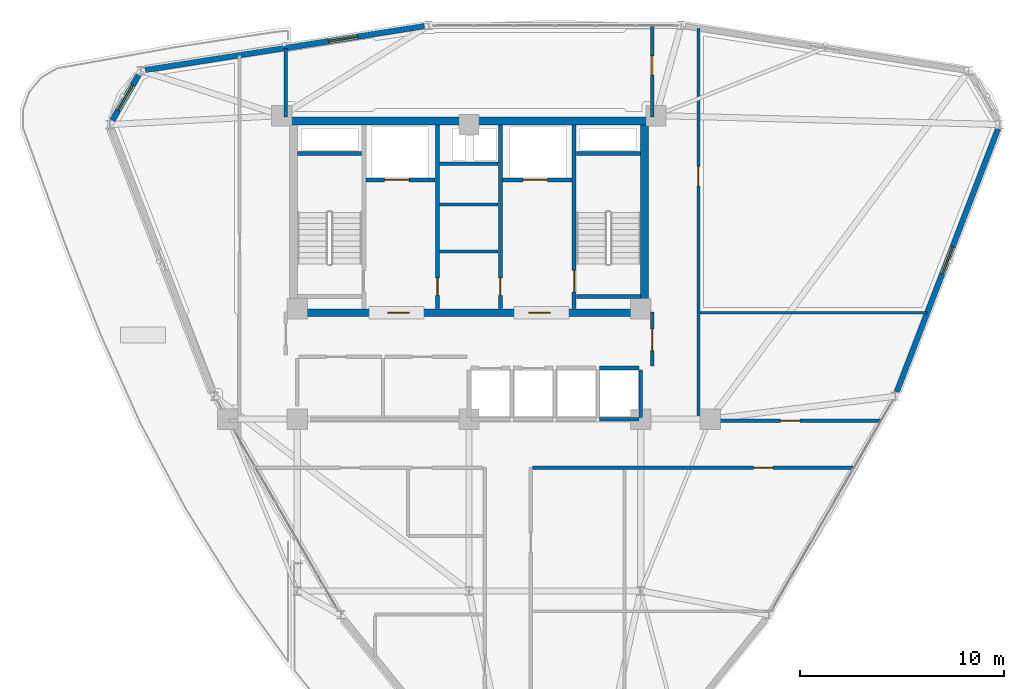
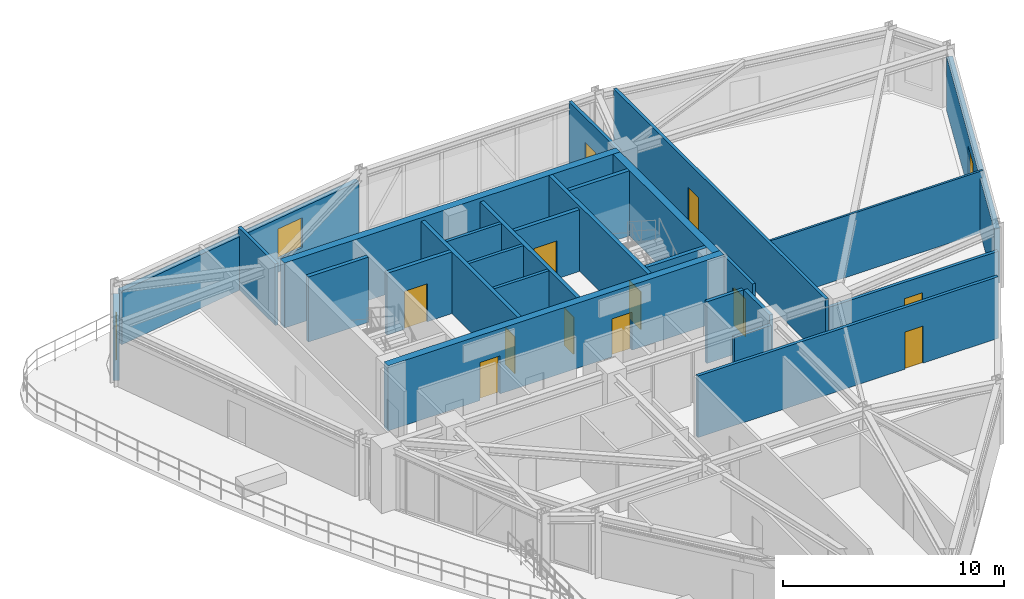
# One storey, part 15 of 19: 27 walls, 12 doors, 3 windows, 15 openings.
"""IFC4 building model written with IfcOpenShell, lengths in metres."""

from ifc_helpers import new_model, si_unit, derived_unit, direction, frame, frame_2d, origin, place, context, subcontext, project, spatial, rectangle, extrude, material, layer, layer_set, type_object, element, fill, save


model = new_model("IFC4")

# Units and contexts
model_context = context("Model", 3, precision=1e-05, world=origin(), true_north=direction((0.0, 1.0)))
body_context = subcontext(model_context, "Body", "Model", "MODEL_VIEW")
ifc_project = project(units=[si_unit("LENGTHUNIT", "METRE"), si_unit("AREAUNIT", "SQUARE_METRE"), si_unit("VOLUMEUNIT", "CUBIC_METRE"), si_unit("PLANEANGLEUNIT", "RADIAN"), si_unit("MASSUNIT", "GRAM", prefix="KILO"), derived_unit("THERMALTRANSMITTANCEUNIT", [(si_unit("POWERUNIT", "WATT"), 1), (si_unit("LENGTHUNIT", "METRE"), -2), (si_unit("THERMODYNAMICTEMPERATUREUNIT", "KELVIN"), -1)])], contexts=[model_context])

# Site, building, storey
site_placement = place(None, origin())
site = spatial("IfcSite", under=ifc_project, at=site_placement, CompositionType="ELEMENT")
building_placement = place(site_placement, origin())
building = spatial("IfcBuilding", under=site, at=building_placement, Name="Korsvarv Bourse and Concert Hall", CompositionType="ELEMENT")
storey_placement = place(building_placement, frame((0.0, 0.0, 205.800048828125)))
storey = spatial("IfcBuildingStorey", under=building, at=storey_placement, Name="L53", CompositionType="ELEMENT", Elevation=205.800048828125)

# Wall
ifc_material_1 = material(Name="Concrete C50/60", Category="concrete")
ifc_layer_1 = layer(ifc_material_1, 0.3798828125)
ifc_layer_set_1 = layer_set([ifc_layer_1], Name="Concrete C50/60")
wall_type_1 = type_object("IfcWallType", Name="WL-CORE-380", PredefinedType="SHEAR", material=ifc_layer_set_1)
wall_1_placement = place(storey_placement, frame((27.219970703125, 46.989990234375, 0.0), z_axis=(0.0, 0.0, 1.0), x_axis=(1.0, 0.0, 0.0)))
element("IfcWall", 1, at=wall_1_placement, inside=storey, type_object=wall_type_1, Name="L53 North Core Shear Wall", PredefinedType="SHEAR", context=body_context, shape_type="SweptSolid", body=[
    extrude(rectangle(XDim=17.56005859375, YDim=0.3798828125, at=frame_2d((8.780029296875, 0.0))), origin(), (0.0, 0.0, 1.0), 3.599853515625),
])

# Wall, openings, doors
wall_2_placement = place(storey_placement, frame((27.219970703125, 37.610107421875, 0.0), z_axis=(0.0, 0.0, 1.0), x_axis=(1.0, 0.0, 0.0)))
wall_2 = element("IfcWall", 2, at=wall_2_placement, inside=storey, type_object=wall_type_1, Name="L53 South Core Shear Wall", PredefinedType="SHEAR", context=body_context, shape_type="SweptSolid", body=[
    extrude(rectangle(XDim=17.56005859375, YDim=0.3798828125, at=frame_2d((8.780029296875, 0.0))), origin(), (0.0, 0.0, 1.0), 3.599853515625),
])
opening_1_placement = place(wall_2_placement, frame((4.804931640625, 0.0, 0.0)))
opening_1 = element("IfcOpeningElement", 3, at=opening_1_placement, cuts=wall_2, Name="Opening D-01", PredefinedType="OPENING", context=body_context, shape_type="SweptSolid", body=[
    extrude(rectangle(XDim=1.050048828125, YDim=2.10009765625, at=frame_2d((0.52490234375, 1.050048828125))), frame((0.0, 0.199951171875, 0.0), z_axis=(0.0, -1.0, 0.0), x_axis=(1.0, 0.0, 0.0)), (0.0, 0.0, 1.0), 0.39990234375),
])
opening_2_placement = place(wall_2_placement, frame((11.705078125, 0.0, 0.0)))
opening_2 = element("IfcOpeningElement", 4, at=opening_2_placement, cuts=wall_2, Name="Opening D-01", PredefinedType="OPENING", context=body_context, shape_type="SweptSolid", body=[
    extrude(rectangle(XDim=1.050048828125, YDim=2.10009765625, at=frame_2d((0.52490234375, 1.050048828125))), frame((0.0, 0.199951171875, 0.0), z_axis=(0.0, -1.0, 0.0), x_axis=(1.0, 0.0, 0.0)), (0.0, 0.0, 1.0), 0.39990234375),
])
ifc_material_2 = material(Name="Steel S355 fire door", Category="steel")
door_type_1 = type_object("IfcDoorType", Name="DR-FD60", OperationType="NOTDEFINED", PredefinedType="DOOR", material=ifc_material_2)
door_1_placement = place(opening_1_placement, frame((1.050048828125, 0.0, 0.0), z_axis=(0.0, 0.0, 1.0), x_axis=(-1.0, 0.0, 0.0)))
door_1 = element("IfcDoor", 5, at=door_1_placement, inside=storey, type_object=door_type_1, Name="L53 firefighting lobby fire door DR-L53-FFLW", OperationType="SINGLE_SWING_LEFT", OverallHeight=2.10009765625, OverallWidth=1.050048828125, PredefinedType="DOOR", context=body_context, shape_type="SweptSolid", body=[
    extrude(rectangle(XDim=1.050048828125, YDim=2.10009765625, at=frame_2d((0.52490234375, 1.050048828125))), frame((0.0, 0.02490234375, 0.0), z_axis=(0.0, -1.0, 0.0), x_axis=(1.0, 0.0, 0.0)), (0.0, 0.0, 1.0), 0.050048828125),
])
fill(opening_1, door_1)
door_2_placement = place(opening_2_placement, frame((1.050048828125, 0.0, 0.0), z_axis=(0.0, 0.0, 1.0), x_axis=(-1.0, 0.0, 0.0)))
door_2 = element("IfcDoor", 6, at=door_2_placement, inside=storey, type_object=door_type_1, Name="L53 firefighting lobby fire door DR-L53-FFLE", OperationType="SINGLE_SWING_RIGHT", OverallHeight=2.10009765625, OverallWidth=1.050048828125, PredefinedType="DOOR", context=body_context, shape_type="SweptSolid", body=[
    extrude(rectangle(XDim=1.050048828125, YDim=2.10009765625, at=frame_2d((0.52490234375, 1.050048828125))), frame((0.0, 0.02490234375, 0.0), z_axis=(0.0, -1.0, 0.0), x_axis=(1.0, 0.0, 0.0)), (0.0, 0.0, 1.0), 0.050048828125),
])
fill(opening_2, door_2)

# Walls
wall_3_placement = place(storey_placement, frame((44.590087890625, 37.800048828125, 0.0), z_axis=(0.0, 0.0, 1.0), x_axis=(0.0, 1.0, 0.0)))
element("IfcWall", 7, at=wall_3_placement, inside=storey, type_object=wall_type_1, Name="L53 East Core Shear Wall", PredefinedType="SHEAR", context=body_context, shape_type="SweptSolid", body=[
    extrude(rectangle(XDim=9.0, YDim=0.3798828125, at=frame_2d((4.5, 0.0))), origin(), (0.0, 0.0, 1.0), 3.599853515625),
])
wall_4_placement = place(storey_placement, frame((27.610107421875, 45.39990234375, 0.0), z_axis=(0.0, 0.0, 1.0), x_axis=(1.0, 0.0, 0.0)))
element("IfcWall", 8, at=wall_4_placement, inside=storey, type_object=wall_type_1, Name="L53 stair shaft structural wall W-L53-ST1-N", PredefinedType="SHEAR", context=body_context, shape_type="SweptSolid", body=[
    extrude(rectangle(XDim=3.139892578125, YDim=0.199951171875, at=frame_2d((1.56982421875, 0.0))), origin(), (0.0, 0.0, 1.0), 3.599853515625),
])

# Wall, opening, door
wall_5_placement = place(storey_placement, frame((41.139892578125, 37.81005859375, 0.0), z_axis=(0.0, 0.0, 1.0), x_axis=(0.0, 1.0, 0.0)))
wall_5 = element("IfcWall", 9, at=wall_5_placement, inside=storey, type_object=wall_type_1, Name="L53 stair shaft structural wall W-L53-ST2-W", PredefinedType="SHEAR", context=body_context, shape_type="SweptSolid", body=[
    extrude(rectangle(XDim=8.97998046875, YDim=0.199951171875, at=frame_2d((4.489990234375, 0.0))), origin(), (0.0, 0.0, 1.0), 3.599853515625),
])
opening_3_placement = place(wall_5_placement, frame((0.820068359375, 0.0, 0.0)))
opening_3 = element("IfcOpeningElement", 10, at=opening_3_placement, cuts=wall_5, Name="Opening D-01", PredefinedType="OPENING", context=body_context, shape_type="SweptSolid", body=[
    extrude(rectangle(XDim=1.050048828125, YDim=2.10009765625, at=frame_2d((0.52490234375, 1.050048828125))), frame((0.0, 0.10986328125, 0.0), z_axis=(0.0, -1.0, 0.0), x_axis=(1.0, 0.0, 0.0)), (0.0, 0.0, 1.0), 0.219970703125),
])
door_3_placement = place(opening_3_placement, frame((1.050048828125, 0.0, 0.0), z_axis=(0.0, 0.0, 1.0), x_axis=(-1.0, 0.0, 0.0)))
door_3 = element("IfcDoor", 11, at=door_3_placement, inside=storey, type_object=door_type_1, Name="L53 interior door DR-L53-ST2", OperationType="SINGLE_SWING_LEFT", OverallHeight=2.10009765625, OverallWidth=1.050048828125, PredefinedType="DOOR", context=body_context, shape_type="SweptSolid", body=[
    extrude(rectangle(XDim=1.050048828125, YDim=2.10009765625, at=frame_2d((0.52490234375, 1.050048828125))), frame((0.0, 0.02490234375, 0.0), z_axis=(0.0, -1.0, 0.0), x_axis=(1.0, 0.0, 0.0)), (0.0, 0.0, 1.0), 0.050048828125),
])
fill(opening_3, door_3)

# Walls
for number, where, z_axis, x_axis, name in (
    (12, (41.25, 45.39990234375, 0.0), (0.0, 0.0, 1.0), (1.0, 0.0, 0.0), "L53 stair shaft structural wall W-L53-ST2-N"),
    (13, (41.25, 38.39990234375, 0.0), (0.0, 0.0, 1.0), (1.0, 0.0, 0.0), "L53 stair shaft structural wall W-L53-ST2-S"),
):
    element("IfcWall", number, at=place(storey_placement, frame(where, z_axis=z_axis, x_axis=x_axis)), inside=storey, type_object=wall_type_1, Name=name, PredefinedType="SHEAR", context=body_context, shape_type="SweptSolid", body=[
        extrude(rectangle(XDim=3.139892578125, YDim=0.199951171875, at=frame_2d((1.56982421875, 0.0))), origin(), (0.0, 0.0, 1.0), 3.599853515625),
    ])

# Wall, opening, window
ifc_material_3 = material(Name="Precast concrete C45/55 with terracotta rainscreen", Category="concrete")
ifc_layer_2 = layer(ifc_material_3, 0.300048828125)
ifc_layer_set_2 = layer_set([ifc_layer_2], Name="Precast concrete C45/55 with terracotta rainscreen")
wall_type_2 = type_object("IfcWallType", Name="WL-EXT-TC1", PredefinedType="SOLIDWALL", material=ifc_layer_set_2)
wall_6_placement = place(storey_placement, frame((19.828857421875, 49.23486328125, 0.0), z_axis=(0.0, 0.0, 1.0), x_axis=(-0.49990462644, -0.866080460733, 0.0)))
wall_6 = element("IfcWall", 14, at=wall_6_placement, inside=storey, type_object=wall_type_2, Name="L53 terracotta exterior wall EW-L53-B05", PredefinedType="SOLIDWALL", context=body_context, shape_type="SweptSolid", body=[
    extrude(rectangle(XDim=2.55224609375, YDim=0.300048828125, at=frame_2d((1.276123046875, 0.0))), origin(), (0.0, 0.0, 1.0), 3.02001953125),
])
opening_4_placement = place(wall_6_placement, frame((0.551025390625, 0.0, 0.75)))
opening_4 = element("IfcOpeningElement", 15, at=opening_4_placement, cuts=wall_6, Name="Opening W-02", PredefinedType="OPENING", context=body_context, shape_type="SweptSolid", body=[
    extrude(rectangle(XDim=1.449951171875, YDim=1.64990234375, at=frame_2d((0.72509765625, 0.824951171875))), frame((0.0, 0.16015625, 0.0), z_axis=(0.0, -1.0, 0.0), x_axis=(1.0, 0.0, 0.0)), (0.0, 0.0, 1.0), 0.320068359375),
])
ifc_material_4 = material(Name="Thermally broken aluminium frame with triple low-E glass", Category="glass")
window_type = type_object("IfcWindowType", Name="WIN-TW2", PartitioningType="SINGLE_PANEL", PredefinedType="WINDOW", material=ifc_material_4)
window_1_placement = place(opening_4_placement, origin())
window_1 = element("IfcWindow", 16, at=window_1_placement, inside=storey, type_object=window_type, Name="L53 punched facade window W-02", OverallHeight=1.64990234375, OverallWidth=1.449951171875, PartitioningType="SINGLE_PANEL", PredefinedType="WINDOW", context=body_context, shape_type="SweptSolid", body=[
    extrude(rectangle(XDim=1.449951171875, YDim=1.64990234375, at=frame_2d((0.72509765625, 0.824951171875))), frame((0.0, 0.030029296875, 0.0), z_axis=(0.0, -1.0, 0.0), x_axis=(1.0, 0.0, 0.0)), (0.0, 0.0, 1.0), 0.06005859375),
])
fill(opening_4, window_1)

ifc_material_5 = material(Name="Precast concrete C45/55 with fluted terracotta pier", Category="concrete")
ifc_layer_3 = layer(ifc_material_5, 0.280029296875)
ifc_layer_set_3 = layer_set([ifc_layer_3], Name="Precast concrete C45/55 with fluted terracotta pier")
wall_type_3 = type_object("IfcWallType", Name="WL-EXT-TC2", PredefinedType="SOLIDWALL", material=ifc_layer_set_3)
wall_7_placement = place(storey_placement, frame((33.815185546875, 51.62890625, 0.0), z_axis=(0.0, 0.0, 1.0), x_axis=(-0.987848165878, -0.155422009936, 0.0)))
wall_7 = element("IfcWall", 17, at=wall_7_placement, inside=storey, type_object=wall_type_3, Name="L53 terracotta exterior wall EW-L53-B04", PredefinedType="SOLIDWALL", context=body_context, shape_type="SweptSolid", body=[
    extrude(rectangle(XDim=13.8232421875, YDim=0.280029296875, at=frame_2d((6.91162109375, 0.0))), origin(), (0.0, 0.0, 1.0), 2.9599609375),
])
opening_5_placement = place(wall_7_placement, frame((3.293212890625, 0.0, 0.75)))
opening_5 = element("IfcOpeningElement", 18, at=opening_5_placement, cuts=wall_7, Name="Opening W-02", PredefinedType="OPENING", context=body_context, shape_type="SweptSolid", body=[
    extrude(rectangle(XDim=1.449951171875, YDim=1.64990234375, at=frame_2d((0.72509765625, 0.824951171875))), frame((0.0, 0.14990234375, 0.0), z_axis=(0.0, -1.0, 0.0), x_axis=(1.0, 0.0, 0.0)), (0.0, 0.0, 1.0), 0.300048828125),
])
window_2_placement = place(opening_5_placement, origin())
window_2 = element("IfcWindow", 19, at=window_2_placement, inside=storey, type_object=window_type, Name="L53 punched facade window W-02", OverallHeight=1.64990234375, OverallWidth=1.449951171875, PartitioningType="SINGLE_PANEL", PredefinedType="WINDOW", context=body_context, shape_type="SweptSolid", body=[
    extrude(rectangle(XDim=1.449951171875, YDim=1.64990234375, at=frame_2d((0.72509765625, 0.824951171875))), frame((0.0, 0.030029296875, 0.0), z_axis=(0.0, -1.0, 0.0), x_axis=(1.0, 0.0, 0.0)), (0.0, 0.0, 1.0), 0.06005859375),
])
fill(opening_5, window_2)

wall_8_placement = place(storey_placement, frame((56.933837890625, 33.731201171875, 0.0), z_axis=(0.0, 0.0, 1.0), x_axis=(0.359321962573, 0.933213655715, 0.0)))
wall_8 = element("IfcWall", 20, at=wall_8_placement, inside=storey, type_object=wall_type_3, Name="L53 terracotta exterior wall EW-L53-B12", PredefinedType="SOLIDWALL", context=body_context, shape_type="SweptSolid", body=[
    extrude(rectangle(XDim=13.7880859375, YDim=0.280029296875, at=frame_2d((6.89404296875, 0.0))), origin(), (0.0, 0.0, 1.0), 3.02001953125),
])
opening_6_placement = place(wall_8_placement, frame((6.1689453125, 0.0, 0.75)))
opening_6 = element("IfcOpeningElement", 21, at=opening_6_placement, cuts=wall_8, Name="Opening W-02", PredefinedType="OPENING", context=body_context, shape_type="SweptSolid", body=[
    extrude(rectangle(XDim=1.449951171875, YDim=1.64990234375, at=frame_2d((0.72509765625, 0.824951171875))), frame((0.0, 0.14990234375, 0.0), z_axis=(0.0, -1.0, 0.0), x_axis=(1.0, 0.0, 0.0)), (0.0, 0.0, 1.0), 0.300048828125),
])
window_3_placement = place(opening_6_placement, origin())
window_3 = element("IfcWindow", 22, at=window_3_placement, inside=storey, type_object=window_type, Name="L53 punched facade window W-02", OverallHeight=1.64990234375, OverallWidth=1.449951171875, PartitioningType="SINGLE_PANEL", PredefinedType="WINDOW", context=body_context, shape_type="SweptSolid", body=[
    extrude(rectangle(XDim=1.449951171875, YDim=1.64990234375, at=frame_2d((0.72509765625, 0.824951171875))), frame((0.0, 0.030029296875, 0.0), z_axis=(0.0, -1.0, 0.0), x_axis=(1.0, 0.0, 0.0)), (0.0, 0.0, 1.0), 0.06005859375),
])
fill(opening_6, window_3)

# Wall, opening, door
ifc_material_6 = material(Name="Reinforced concrete blockwork C35/45 fire wall", Category="concrete")
ifc_layer_4 = layer(ifc_material_6, 0.199951171875)
ifc_layer_set_4 = layer_set([ifc_layer_4], Name="Reinforced concrete blockwork C35/45 fire wall")
wall_type_4 = type_object("IfcWallType", Name="WL-INT-EI120", PredefinedType="PARTITIONING", material=ifc_layer_set_4)
wall_9_placement = place(storey_placement, frame((30.969970703125, 44.10009765625, 0.0), z_axis=(0.0, 0.0, 1.0), x_axis=(1.0, 0.0, 0.0)))
wall_9 = element("IfcWall", 23, at=wall_9_placement, inside=storey, type_object=wall_type_4, Name="L53 interior partition wall W-L53-FF1-S", PredefinedType="PARTITIONING", context=body_context, shape_type="SweptSolid", body=[
    extrude(rectangle(XDim=3.380126953125, YDim=0.199951171875, at=frame_2d((1.68994140625, 0.0))), origin(), (0.0, 0.0, 1.0), 3.409912109375),
])
opening_7_placement = place(wall_9_placement, frame((0.89990234375, 0.0, 0.0)))
opening_7 = element("IfcOpeningElement", 24, at=opening_7_placement, cuts=wall_9, Name="Opening LD-1", PredefinedType="OPENING", context=body_context, shape_type="SweptSolid", body=[
    extrude(rectangle(XDim=1.199951171875, YDim=2.10009765625, at=frame_2d((0.60009765625, 1.050048828125))), frame((0.0, 0.10986328125, 0.0), z_axis=(0.0, -1.0, 0.0), x_axis=(1.0, 0.0, 0.0)), (0.0, 0.0, 1.0), 0.219970703125),
])
ifc_material_7 = material(Name="Stainless Steel S355 firefighting lift landing door", Category="steel")
door_type_2 = type_object("IfcDoorType", Name="DR-LIFT-FF", OperationType="DOUBLE_DOOR_SLIDING", PredefinedType="DOOR", material=ifc_material_7)
door_4_placement = place(opening_7_placement, origin())
door_4 = element("IfcDoor", 25, at=door_4_placement, inside=storey, type_object=door_type_2, Name="L53 lift sliding landing door LD-L53-FF1", OperationType="DOUBLE_DOOR_SLIDING", OverallHeight=2.10009765625, OverallWidth=1.199951171875, PredefinedType="DOOR", context=body_context, shape_type="SweptSolid", body=[
    extrude(rectangle(XDim=1.199951171875, YDim=2.10009765625, at=frame_2d((0.60009765625, 1.050048828125))), frame((0.0, 0.02490234375, 0.0), z_axis=(0.0, -1.0, 0.0), x_axis=(1.0, 0.0, 0.0)), (0.0, 0.0, 1.0), 0.050048828125),
])
fill(opening_7, door_4)

wall_10_placement = place(storey_placement, frame((37.64990234375, 44.10009765625, 0.0), z_axis=(0.0, 0.0, 1.0), x_axis=(1.0, 0.0, 0.0)))
wall_10 = element("IfcWall", 26, at=wall_10_placement, inside=storey, type_object=wall_type_4, Name="L53 interior partition wall W-L53-FF2-S", PredefinedType="PARTITIONING", context=body_context, shape_type="SweptSolid", body=[
    extrude(rectangle(XDim=3.380126953125, YDim=0.199951171875, at=frame_2d((1.68994140625, 0.0))), origin(), (0.0, 0.0, 1.0), 3.409912109375),
])
opening_8_placement = place(wall_10_placement, frame((1.0, 0.0, 0.0)))
opening_8 = element("IfcOpeningElement", 27, at=opening_8_placement, cuts=wall_10, Name="Opening LD-1", PredefinedType="OPENING", context=body_context, shape_type="SweptSolid", body=[
    extrude(rectangle(XDim=1.199951171875, YDim=2.10009765625, at=frame_2d((0.60009765625, 1.050048828125))), frame((0.0, 0.10986328125, 0.0), z_axis=(0.0, -1.0, 0.0), x_axis=(1.0, 0.0, 0.0)), (0.0, 0.0, 1.0), 0.219970703125),
])
door_5_placement = place(opening_8_placement, origin())
door_5 = element("IfcDoor", 28, at=door_5_placement, inside=storey, type_object=door_type_2, Name="L53 lift sliding landing door LD-L53-FF2", OperationType="DOUBLE_DOOR_SLIDING", OverallHeight=2.10009765625, OverallWidth=1.199951171875, PredefinedType="DOOR", context=body_context, shape_type="SweptSolid", body=[
    extrude(rectangle(XDim=1.199951171875, YDim=2.10009765625, at=frame_2d((0.60009765625, 1.050048828125))), frame((0.0, 0.02490234375, 0.0), z_axis=(0.0, -1.0, 0.0), x_axis=(1.0, 0.0, 0.0)), (0.0, 0.0, 1.0), 0.050048828125),
])
fill(opening_8, door_5)

wall_11_placement = place(storey_placement, frame((34.4599609375, 37.81005859375, 0.0), z_axis=(0.0, 0.0, 1.0), x_axis=(0.0, 1.0, 0.0)))
wall_11 = element("IfcWall", 29, at=wall_11_placement, inside=storey, type_object=wall_type_4, Name="L53 interior partition wall W-L53-CSB-W", PredefinedType="PARTITIONING", context=body_context, shape_type="SweptSolid", body=[
    extrude(rectangle(XDim=8.97998046875, YDim=0.199951171875, at=frame_2d((4.489990234375, 0.0))), origin(), (0.0, 0.0, 1.0), 3.409912109375),
])
opening_9_placement = place(wall_11_placement, frame((0.64990234375, 0.0, 0.0)))
opening_9 = element("IfcOpeningElement", 30, at=opening_9_placement, cuts=wall_11, Name="Opening D-05", PredefinedType="OPENING", context=body_context, shape_type="SweptSolid", body=[
    extrude(rectangle(XDim=0.85009765625, YDim=2.050048828125, at=frame_2d((0.425048828125, 1.02490234375))), frame((0.0, 0.10986328125, 0.0), z_axis=(0.0, -1.0, 0.0), x_axis=(1.0, 0.0, 0.0)), (0.0, 0.0, 1.0), 0.219970703125),
])
door_type_3 = type_object("IfcDoorType", Name="DR-FD60-850X2050", OperationType="NOTDEFINED", PredefinedType="DOOR", material=ifc_material_2)
door_6_placement = place(opening_9_placement, frame((0.85009765625, 0.0, 0.0), z_axis=(0.0, 0.0, 1.0), x_axis=(-1.0, 0.0, 0.0)))
door_6 = element("IfcDoor", 31, at=door_6_placement, inside=storey, type_object=door_type_3, Name="L53 interior door DR-L53-CSB1", OperationType="SINGLE_SWING_RIGHT", OverallHeight=2.050048828125, OverallWidth=0.85009765625, PredefinedType="DOOR", context=body_context, shape_type="SweptSolid", body=[
    extrude(rectangle(XDim=0.85009765625, YDim=2.050048828125, at=frame_2d((0.425048828125, 1.02490234375))), frame((0.0, 0.02490234375, 0.0), z_axis=(0.0, -1.0, 0.0), x_axis=(1.0, 0.0, 0.0)), (0.0, 0.0, 1.0), 0.050048828125),
])
fill(opening_9, door_6)

wall_12_placement = place(storey_placement, frame((37.5400390625, 37.81005859375, 0.0), z_axis=(0.0, 0.0, 1.0), x_axis=(0.0, 1.0, 0.0)))
wall_12 = element("IfcWall", 32, at=wall_12_placement, inside=storey, type_object=wall_type_4, Name="L53 interior partition wall W-L53-CSB-E", PredefinedType="PARTITIONING", context=body_context, shape_type="SweptSolid", body=[
    extrude(rectangle(XDim=8.97998046875, YDim=0.199951171875, at=frame_2d((4.489990234375, 0.0))), origin(), (0.0, 0.0, 1.0), 3.409912109375),
])
opening_10_placement = place(wall_12_placement, frame((0.64990234375, 0.0, 0.0)))
opening_10 = element("IfcOpeningElement", 33, at=opening_10_placement, cuts=wall_12, Name="Opening D-05", PredefinedType="OPENING", context=body_context, shape_type="SweptSolid", body=[
    extrude(rectangle(XDim=0.85009765625, YDim=2.050048828125, at=frame_2d((0.425048828125, 1.02490234375))), frame((0.0, 0.10986328125, 0.0), z_axis=(0.0, -1.0, 0.0), x_axis=(1.0, 0.0, 0.0)), (0.0, 0.0, 1.0), 0.219970703125),
])
door_7_placement = place(opening_10_placement, origin())
door_7 = element("IfcDoor", 34, at=door_7_placement, inside=storey, type_object=door_type_3, Name="L53 interior door DR-L53-CSB2", OperationType="SINGLE_SWING_LEFT", OverallHeight=2.050048828125, OverallWidth=0.85009765625, PredefinedType="DOOR", context=body_context, shape_type="SweptSolid", body=[
    extrude(rectangle(XDim=0.85009765625, YDim=2.050048828125, at=frame_2d((0.425048828125, 1.02490234375))), frame((0.0, 0.02490234375, 0.0), z_axis=(0.0, -1.0, 0.0), x_axis=(1.0, 0.0, 0.0)), (0.0, 0.0, 1.0), 0.050048828125),
])
fill(opening_10, door_7)

# Walls
ifc_material_8 = material(Name="Double-stud fire-rated acoustic partition", Category="gypsum")
ifc_layer_5 = layer(ifc_material_8, 0.159912109375)
ifc_layer_set_5 = layer_set([ifc_layer_5], Name="Double-stud fire-rated acoustic partition")
wall_type_5 = type_object("IfcWallType", Name="WL-INT-EI60", PredefinedType="PARTITIONING", material=ifc_layer_set_5)
for number, where, z_axis, x_axis, name in (
    (35, (34.570068359375, 40.60009765625, 0.0), (0.0, 0.0, 1.0), (1.0, 0.0, 0.0), "L53 interior partition wall W-L53-K1"),
    (36, (34.570068359375, 42.89990234375, 0.0), (0.0, 0.0, 1.0), (1.0, 0.0, 0.0), "L53 interior partition wall W-L53-K2"),
    (37, (34.570068359375, 44.89990234375, 0.0), (0.0, 0.0, 1.0), (1.0, 0.0, 0.0), "L53 interior partition wall W-L53-K3"),
):
    element("IfcWall", number, at=place(storey_placement, frame(where, z_axis=z_axis, x_axis=x_axis)), inside=storey, type_object=wall_type_5, Name=name, PredefinedType="PARTITIONING", context=body_context, shape_type="SweptSolid", body=[
        extrude(rectangle(XDim=2.85986328125, YDim=0.159912109375, at=frame_2d((1.429931640625, 0.0))), origin(), (0.0, 0.0, 1.0), 3.409912109375),
    ])

# Wall, opening, door
wall_13_placement = place(storey_placement, frame((44.9599609375, 35.0, 0.0), z_axis=(0.0, 0.0, 1.0), x_axis=(0.0, 1.0, 0.0)))
wall_13 = element("IfcWall", 38, at=wall_13_placement, inside=storey, type_object=wall_type_5, Name="L53 interior partition wall W-L53-LOB-E", PredefinedType="PARTITIONING", context=body_context, shape_type="SweptSolid", body=[
    extrude(rectangle(XDim=2.64990234375, YDim=0.159912109375, at=frame_2d((1.324951171875, 0.0))), origin(), (0.0, 0.0, 1.0), 3.409912109375),
])
opening_11_placement = place(wall_13_placement, frame((0.75, 0.0, 0.0)))
opening_11 = element("IfcOpeningElement", 39, at=opening_11_placement, cuts=wall_13, Name="Opening D-01", PredefinedType="OPENING", context=body_context, shape_type="SweptSolid", body=[
    extrude(rectangle(XDim=1.050048828125, YDim=2.10009765625, at=frame_2d((0.52490234375, 1.050048828125))), frame((0.0, 0.08984375, 0.0), z_axis=(0.0, -1.0, 0.0), x_axis=(1.0, 0.0, 0.0)), (0.0, 0.0, 1.0), 0.179931640625),
])
door_8_placement = place(opening_11_placement, origin())
door_8 = element("IfcDoor", 40, at=door_8_placement, inside=storey, type_object=door_type_1, Name="L53 interior door DR-L53-LOBE", OperationType="SINGLE_SWING_LEFT", OverallHeight=2.10009765625, OverallWidth=1.050048828125, PredefinedType="DOOR", context=body_context, shape_type="SweptSolid", body=[
    extrude(rectangle(XDim=1.050048828125, YDim=2.10009765625, at=frame_2d((0.52490234375, 1.050048828125))), frame((0.0, 0.02490234375, 0.0), z_axis=(0.0, -1.0, 0.0), x_axis=(1.0, 0.0, 0.0)), (0.0, 0.0, 1.0), 0.050048828125),
])
fill(opening_11, door_8)

wall_14_placement = place(storey_placement, frame((47.22509765625, 32.31005859375, 0.0), z_axis=(0.0, 0.0, 1.0), x_axis=(0.0, 1.0, 0.0)))
wall_14 = element("IfcWall", 41, at=wall_14_placement, inside=storey, type_object=wall_type_5, Name="L53 interior partition wall W-L53-TCOR-01", PredefinedType="PARTITIONING", context=body_context, shape_type="SweptSolid", body=[
    extrude(rectangle(XDim=19.1982421875, YDim=0.159912109375, at=frame_2d((9.59912109375, 0.0))), origin(), (0.0, 0.0, 1.0), 3.409912109375),
])
opening_12_placement = place(wall_14_placement, frame((11.499755859375, 0.0, 0.0)))
opening_12 = element("IfcOpeningElement", 42, at=opening_12_placement, cuts=wall_14, Name="Opening D-02", PredefinedType="OPENING", context=body_context, shape_type="SweptSolid", body=[
    extrude(rectangle(XDim=0.949951171875, YDim=2.050048828125, at=frame_2d((0.47509765625, 1.02490234375))), frame((0.0, 0.08984375, 0.0), z_axis=(0.0, -1.0, 0.0), x_axis=(1.0, 0.0, 0.0)), (0.0, 0.0, 1.0), 0.179931640625),
])
ifc_material_9 = material(Name="Timber and steel acoustic fire door", Category="wood")
door_type_4 = type_object("IfcDoorType", Name="DR-FD30", OperationType="NOTDEFINED", PredefinedType="DOOR", material=ifc_material_9)
door_9_placement = place(opening_12_placement, origin())
door_9 = element("IfcDoor", 43, at=door_9_placement, inside=storey, type_object=door_type_4, Name="L53 interior door DR-L53-TCOR-RM22", OperationType="SINGLE_SWING_RIGHT", OverallHeight=2.050048828125, OverallWidth=0.949951171875, PredefinedType="DOOR", context=body_context, shape_type="SweptSolid", body=[
    extrude(rectangle(XDim=0.949951171875, YDim=2.050048828125, at=frame_2d((0.47509765625, 1.02490234375))), frame((0.0, 0.02490234375, 0.0), z_axis=(0.0, -1.0, 0.0), x_axis=(1.0, 0.0, 0.0)), (0.0, 0.0, 1.0), 0.050048828125),
])
fill(opening_12, door_9)

wall_15_placement = place(storey_placement, frame((39.10693359375, 30.02490234375, 0.0), z_axis=(0.0, 0.0, 1.0), x_axis=(1.0, 0.0, 0.0)))
wall_15 = element("IfcWall", 44, at=wall_15_placement, inside=storey, type_object=wall_type_5, Name="L53 interior partition wall W-L53-TCOR-05", PredefinedType="PARTITIONING", context=body_context, shape_type="SweptSolid", body=[
    extrude(rectangle(XDim=15.7080078125, YDim=0.159912109375, at=frame_2d((7.85400390625, 0.0))), origin(), (0.0, 0.0, 1.0), 3.409912109375),
])
opening_13_placement = place(wall_15_placement, frame((10.822509765625, 0.0, 0.0)))
opening_13 = element("IfcOpeningElement", 45, at=opening_13_placement, cuts=wall_15, Name="Opening D-02", PredefinedType="OPENING", context=body_context, shape_type="SweptSolid", body=[
    extrude(rectangle(XDim=0.949951171875, YDim=2.050048828125, at=frame_2d((0.47509765625, 1.02490234375))), frame((0.0, 0.08984375, 0.0), z_axis=(0.0, -1.0, 0.0), x_axis=(1.0, 0.0, 0.0)), (0.0, 0.0, 1.0), 0.179931640625),
])
door_10_placement = place(opening_13_placement, origin())
door_10 = element("IfcDoor", 46, at=door_10_placement, inside=storey, type_object=door_type_4, Name="L53 interior door DR-L53-TCOR-PN36", OperationType="SINGLE_SWING_LEFT", OverallHeight=2.050048828125, OverallWidth=0.949951171875, PredefinedType="DOOR", context=body_context, shape_type="SweptSolid", body=[
    extrude(rectangle(XDim=0.949951171875, YDim=2.050048828125, at=frame_2d((0.47509765625, 1.02490234375))), frame((0.0, 0.02490234375, 0.0), z_axis=(0.0, -1.0, 0.0), x_axis=(1.0, 0.0, 0.0)), (0.0, 0.0, 1.0), 0.050048828125),
])
fill(opening_13, door_10)

wall_16_placement = place(storey_placement, frame((47.306884765625, 32.31494140625, 0.0), z_axis=(0.0, 0.0, 1.0), x_axis=(1.0, 0.0, 0.0)))
wall_16 = element("IfcWall", 47, at=wall_16_placement, inside=storey, type_object=wall_type_5, Name="L53 interior partition wall W-L53-TCOR-07", PredefinedType="PARTITIONING", context=body_context, shape_type="SweptSolid", body=[
    extrude(rectangle(XDim=8.830322265625, YDim=0.159912109375, at=frame_2d((4.4150390625, 0.0))), origin(), (0.0, 0.0, 1.0), 2.9599609375),
])
opening_14_placement = place(wall_16_placement, frame((3.926025390625, 0.0, 0.0)))
opening_14 = element("IfcOpeningElement", 48, at=opening_14_placement, cuts=wall_16, Name="Opening D-02", PredefinedType="OPENING", context=body_context, shape_type="SweptSolid", body=[
    extrude(rectangle(XDim=0.949951171875, YDim=2.050048828125, at=frame_2d((0.47509765625, 1.02490234375))), frame((0.0, 0.08984375, 0.0), z_axis=(0.0, -1.0, 0.0), x_axis=(1.0, 0.0, 0.0)), (0.0, 0.0, 1.0), 0.179931640625),
])
door_11_placement = place(opening_14_placement, origin())
door_11 = element("IfcDoor", 49, at=door_11_placement, inside=storey, type_object=door_type_4, Name="L53 interior door DR-L53-TCOR-PN81", OperationType="SINGLE_SWING_RIGHT", OverallHeight=2.050048828125, OverallWidth=0.949951171875, PredefinedType="DOOR", context=body_context, shape_type="SweptSolid", body=[
    extrude(rectangle(XDim=0.949951171875, YDim=2.050048828125, at=frame_2d((0.47509765625, 1.02490234375))), frame((0.0, 0.02490234375, 0.0), z_axis=(0.0, -1.0, 0.0), x_axis=(1.0, 0.0, 0.0)), (0.0, 0.0, 1.0), 0.050048828125),
])
fill(opening_14, door_11)

wall_17_placement = place(storey_placement, frame((44.965087890625, 47.18310546875, 0.0), z_axis=(0.0, 0.0, 1.0), x_axis=(0.0, 1.0, 0.0)))
wall_17 = element("IfcWall", 50, at=wall_17_placement, inside=storey, type_object=wall_type_5, Name="L53 interior partition wall W-L53-TCOR-08", PredefinedType="PARTITIONING", context=body_context, shape_type="SweptSolid", body=[
    extrude(rectangle(XDim=4.45849609375, YDim=0.159912109375, at=frame_2d((2.229248046875, 0.0))), origin(), (0.0, 0.0, 1.0), 3.409912109375),
])
opening_15_placement = place(wall_17_placement, frame((2.041259765625, 0.0, 0.0)))
opening_15 = element("IfcOpeningElement", 51, at=opening_15_placement, cuts=wall_17, Name="Opening D-02", PredefinedType="OPENING", context=body_context, shape_type="SweptSolid", body=[
    extrude(rectangle(XDim=0.949951171875, YDim=2.050048828125, at=frame_2d((0.47509765625, 1.02490234375))), frame((0.0, 0.08984375, 0.0), z_axis=(0.0, -1.0, 0.0), x_axis=(1.0, 0.0, 0.0)), (0.0, 0.0, 1.0), 0.179931640625),
])
door_12_placement = place(opening_15_placement, origin())
door_12 = element("IfcDoor", 52, at=door_12_placement, inside=storey, type_object=door_type_4, Name="L53 interior door DR-L53-TCOR-PN67", OperationType="SINGLE_SWING_LEFT", OverallHeight=2.050048828125, OverallWidth=0.949951171875, PredefinedType="DOOR", context=body_context, shape_type="SweptSolid", body=[
    extrude(rectangle(XDim=0.949951171875, YDim=2.050048828125, at=frame_2d((0.47509765625, 1.02490234375))), frame((0.0, 0.02490234375, 0.0), z_axis=(0.0, -1.0, 0.0), x_axis=(1.0, 0.0, 0.0)), (0.0, 0.0, 1.0), 0.050048828125),
])
fill(opening_15, door_12)

# Walls
wall_18_placement = place(storey_placement, frame((27.034912109375, 47.18310546875, 0.0), z_axis=(0.0, 0.0, 1.0), x_axis=(0.0, 1.0, 0.0)))
element("IfcWall", 53, at=wall_18_placement, inside=storey, type_object=wall_type_5, Name="L53 interior partition wall W-L53-TCOR-09", PredefinedType="PARTITIONING", context=body_context, shape_type="SweptSolid", body=[
    extrude(rectangle(XDim=3.359130859375, YDim=0.159912109375, at=frame_2d((1.6796875, 0.0))), origin(), (0.0, 0.0, 1.0), 3.409912109375),
])
ifc_material_10 = material(Name="Gypsum-clad autoclaved concrete shaft wall C30/37", Category="concrete")
ifc_layer_6 = layer(ifc_material_10, 0.179931640625)
ifc_layer_set_6 = layer_set([ifc_layer_6], Name="Gypsum-clad autoclaved concrete shaft wall C30/37")
wall_type_6 = type_object("IfcWallType", Name="WL-INT-EI90", PredefinedType="PARTITIONING", material=ifc_layer_set_6)
wall_19_placement = place(storey_placement, frame((42.389892578125, 34.89990234375, 0.0), z_axis=(0.0, 0.0, 1.0), x_axis=(1.0, 0.0, 0.0)))
element("IfcWall", 54, at=wall_19_placement, inside=storey, type_object=wall_type_6, Name="L53 interior partition wall W-L53-SHFN-PO2", PredefinedType="PARTITIONING", context=body_context, shape_type="SweptSolid", body=[
    extrude(rectangle(XDim=1.920166015625, YDim=0.179931640625, at=frame_2d((0.9599609375, 0.0))), origin(), (0.0, 0.0, 1.0), 3.409912109375),
])
wall_20_placement = place(storey_placement, frame((42.389892578125, 32.39990234375, 0.0), z_axis=(0.0, 0.0, 1.0), x_axis=(1.0, 0.0, 0.0)))
element("IfcWall", 55, at=wall_20_placement, inside=storey, type_object=wall_type_6, Name="L53 interior partition wall W-L53-SHFS-PO2", PredefinedType="PARTITIONING", context=body_context, shape_type="SweptSolid", body=[
    extrude(rectangle(XDim=1.920166015625, YDim=0.179931640625, at=frame_2d((0.9599609375, 0.0))), origin(), (0.0, 0.0, 1.0), 2.9599609375),
])
wall_21_placement = place(storey_placement, frame((44.39990234375, 32.489990234375, 0.0), z_axis=(0.0, 0.0, 1.0), x_axis=(0.0, 1.0, 0.0)))
element("IfcWall", 56, at=wall_21_placement, inside=storey, type_object=wall_type_6, Name="L53 interior partition wall W-L53-SHFE-END", PredefinedType="PARTITIONING", context=body_context, shape_type="SweptSolid", body=[
    extrude(rectangle(XDim=2.320068359375, YDim=0.179931640625, at=frame_2d((1.16015625, 0.0))), origin(), (0.0, 0.0, 1.0), 3.409912109375),
])
ifc_material_11 = material(Name="Demountable acoustic glass and aluminium dealing partition", Category="aluminium")
ifc_layer_7 = layer(ifc_material_11, 0.110107421875)
ifc_layer_set_7 = layer_set([ifc_layer_7], Name="Demountable acoustic glass and aluminium dealing partition")
wall_type_7 = type_object("IfcWallType", Name="WL-INT-MOV", PredefinedType="MOVABLE", material=ifc_layer_set_7)
wall_22_placement = place(storey_placement, frame((47.306884765625, 37.60498046875, 0.0), z_axis=(0.0, 0.0, 1.0), x_axis=(1.0, 0.0, 0.0)))
element("IfcWall", 57, at=wall_22_placement, inside=storey, type_object=wall_type_7, Name="L53 interior partition wall W-L53-TCOR-13", PredefinedType="MOVABLE", context=body_context, shape_type="SweptSolid", body=[
    extrude(rectangle(XDim=11.098388671875, YDim=0.110107421875, at=frame_2d((5.54931640625, 0.0))), origin(), (0.0, 0.0, 1.0), 3.409912109375),
])

save(model, "model.ifc")
